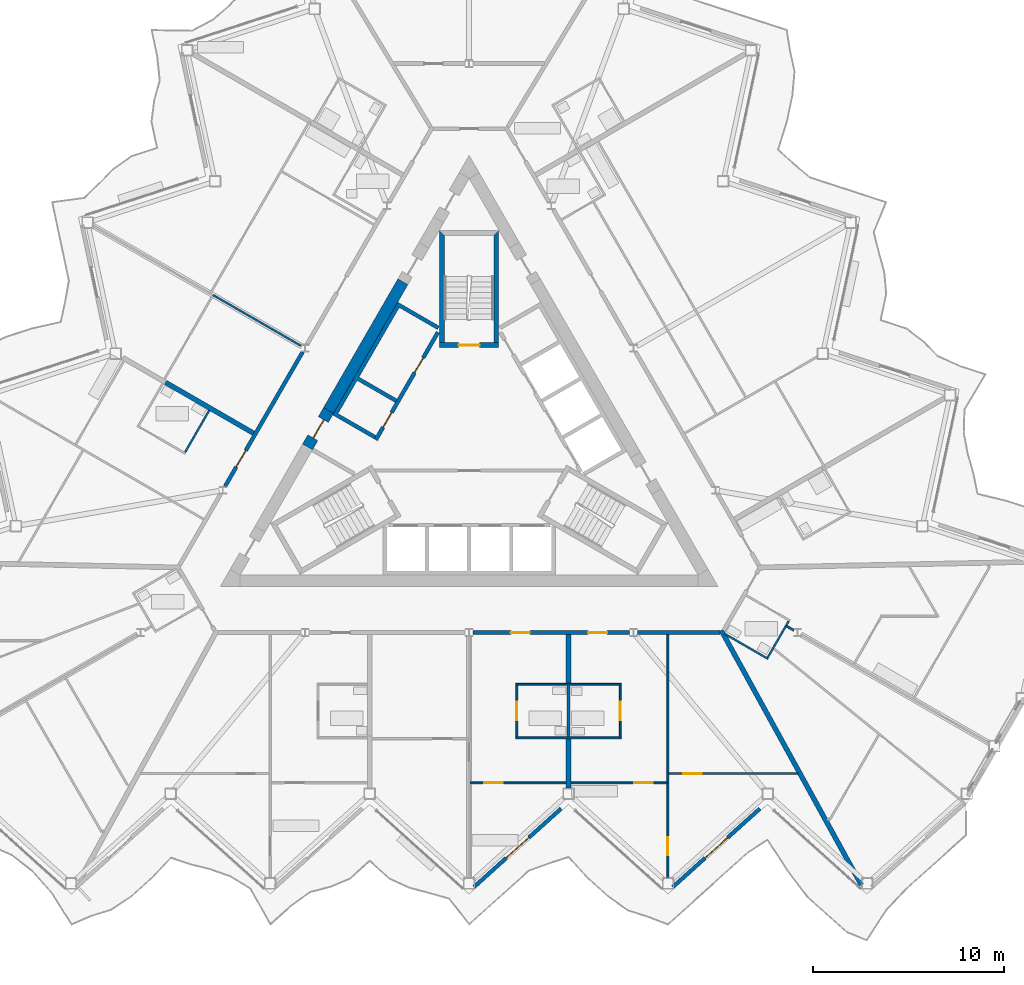
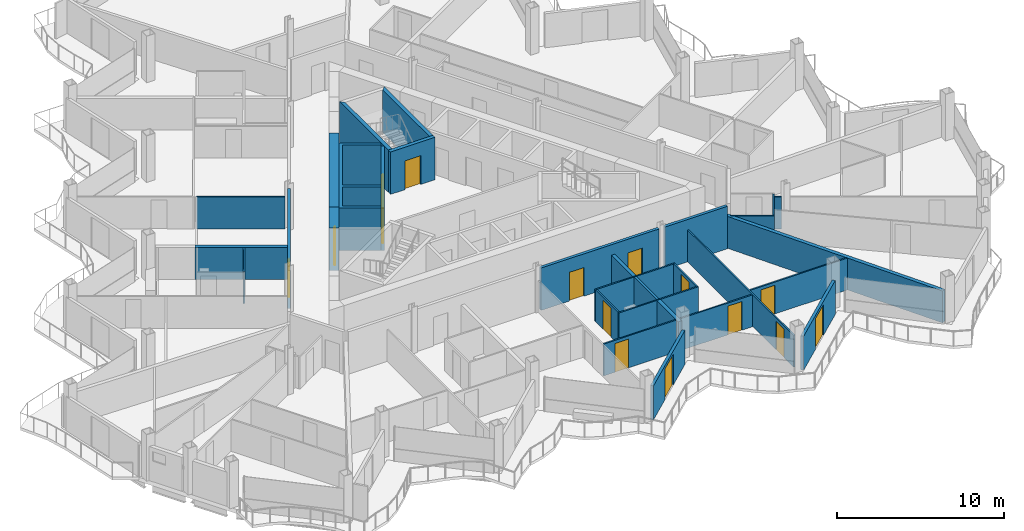
# One storey, part 15 of 27: 29 walls, 15 doors, 15 openings.
"""IFC4 building model written with IfcOpenShell, lengths in metres."""

from ifc_helpers import new_model, si_unit, direction, frame, frame_2d, origin, place, context, subcontext, project, spatial, polyline, rectangle, outline, extrude, material, layer, layer_set, type_object, element, fill, save


model = new_model("IFC4")

# Units and contexts
model_context = context("Model", 3, precision=1e-05, world=origin(), true_north=direction((0.0, 1.0)))
body_context = subcontext(model_context, "Body", "Model", "MODEL_VIEW")
ifc_project = project(units=[si_unit("LENGTHUNIT", "METRE"), si_unit("AREAUNIT", "SQUARE_METRE"), si_unit("VOLUMEUNIT", "CUBIC_METRE"), si_unit("PLANEANGLEUNIT", "RADIAN"), si_unit("MASSUNIT", "GRAM", prefix="KILO")], contexts=[model_context])

# Site, building, storey
site_placement = place(None, origin())
site = spatial("IfcSite", under=ifc_project, at=site_placement, CompositionType="ELEMENT")
building_placement = place(site_placement, origin())
building = spatial("IfcBuilding", under=site, at=building_placement, Name="Cormorant Prow Tower", CompositionType="ELEMENT")
storey_placement = place(building_placement, frame((0.0, 0.0, 312.0)))
storey = spatial("IfcBuildingStorey", under=building, at=storey_placement, Name="L68", CompositionType="ELEMENT", Elevation=312.0)

# Wall
ifc_material_1 = material(Name="Concrete 8000 psi", Category="concrete")
ifc_layer_1 = layer(ifc_material_1, 0.60009765625)
ifc_layer_set_1 = layer_set([ifc_layer_1], Name="Concrete 8000 psi")
wall_type_1 = type_object("IfcWallType", Name="Core shear wall 600", PredefinedType="SHEAR", material=ifc_layer_set_1)
wall_1_placement = place(storey_placement, frame((-3.460693359375, 8.416748046875, 0.0), z_axis=(0.0, 0.0, 1.0), x_axis=(-0.50000391502, -0.866023143435, 0.0)))
element("IfcWall", 1, at=wall_1_placement, inside=storey, type_object=wall_type_1, Name="Core wall", PredefinedType="SHEAR", context=body_context, shape_type="SweptSolid", body=[
    extrude(rectangle(XDim=7.7587890625, YDim=0.60009765625, at=frame_2d((3.87939453125, 0.0))), origin(), (0.0, 0.0, 1.0), 3.10009765625),
])

# Wall, opening, door
wall_2_placement = place(storey_placement, frame((-7.340087890625, 1.697509765625, 0.0), z_axis=(0.0, 0.0, 1.0), x_axis=(-0.50002983664, -0.866008176907, 0.0)))
wall_2 = element("IfcWall", 2, at=wall_2_placement, inside=storey, type_object=wall_type_1, Name="Core wall door panel", PredefinedType="SHEAR", context=body_context, shape_type="SweptSolid", body=[
    extrude(rectangle(XDim=2.199951171875, YDim=0.60009765625, at=frame_2d((1.10009765625, 0.0))), origin(), (0.0, 0.0, 1.0), 3.10009765625),
])
opening_1_placement = place(wall_2_placement, frame((0.550048828125, 0.0, 0.0)))
opening_1 = element("IfcOpeningElement", 3, at=opening_1_placement, cuts=wall_2, Name="Opening L68-C20", PredefinedType="OPENING", context=body_context, shape_type="SweptSolid", body=[
    extrude(rectangle(XDim=1.10009765625, YDim=2.10009765625, at=frame_2d((0.550048828125, 1.050048828125))), frame((0.0, 0.31005859375, 0.0), z_axis=(0.0, -1.0, 0.0), x_axis=(1.0, 0.0, 0.0)), (0.0, 0.0, 1.0), 0.6201171875),
])
ifc_material_2 = material(Name="Painted steel", Category="steel")
door_type_1 = type_object("IfcDoorType", Name="Core door 1100x2100", OperationType="NOTDEFINED", PredefinedType="DOOR", material=ifc_material_2)
door_1_placement = place(opening_1_placement, origin())
door_1 = element("IfcDoor", 4, at=door_1_placement, inside=storey, type_object=door_type_1, Name="Core door, lift lobby", OperationType="SINGLE_SWING_RIGHT", OverallHeight=2.10009765625, OverallWidth=1.10009765625, PredefinedType="DOOR", context=body_context, shape_type="SweptSolid", body=[
    extrude(rectangle(XDim=1.10009765625, YDim=2.10009765625, at=frame_2d((0.550048828125, 1.050048828125))), frame((0.0, 0.05517578125, 0.0), z_axis=(0.0, -1.0, 0.0), x_axis=(1.0, 0.0, 0.0)), (0.0, 0.0, 1.0), 0.050048828125),
])
fill(opening_1, door_1)

# Wall, openings, doors
ifc_material_3 = material(Name="Gypsum board corridor wall")
ifc_layer_2 = layer(ifc_material_3, 0.199951171875)
ifc_layer_set_2 = layer_set([ifc_layer_2], Name="Gypsum board corridor wall")
wall_type_2 = type_object("IfcWallType", Name="Corridor wall 200", PredefinedType="PARTITIONING", material=ifc_layer_set_2)
wall_3_placement = place(storey_placement, frame((0.207763671875, -9.905517578125, 0.0), z_axis=(0.0, 0.0, 1.0), x_axis=(1.0, 0.0, 0.0)))
wall_3 = element("IfcWall", 5, at=wall_3_placement, inside=storey, type_object=wall_type_2, Name="Corridor wall", PredefinedType="PARTITIONING", context=body_context, shape_type="SweptSolid", body=[
    extrude(rectangle(XDim=8.1630859375, YDim=0.199951171875, at=frame_2d((4.08154296875, 0.0))), origin(), (0.0, 0.0, 1.0), 3.10009765625),
])
opening_2_placement = place(wall_3_placement, frame((1.96630859375, 0.0, 0.0)))
opening_2 = element("IfcOpeningElement", 6, at=opening_2_placement, cuts=wall_3, Name="Opening L68-F06", PredefinedType="OPENING", context=body_context, shape_type="SweptSolid", body=[
    extrude(rectangle(XDim=1.0, YDim=2.10009765625, at=frame_2d((0.5, 1.050048828125))), frame((0.0, 0.10986328125, 0.0), z_axis=(0.0, -1.0, 0.0), x_axis=(1.0, 0.0, 0.0)), (0.0, 0.0, 1.0), 0.219970703125),
])
opening_3_placement = place(wall_3_placement, frame((6.00439453125, 0.0, 0.0)))
opening_3 = element("IfcOpeningElement", 7, at=opening_3_placement, cuts=wall_3, Name="Opening L68-F11", PredefinedType="OPENING", context=body_context, shape_type="SweptSolid", body=[
    extrude(rectangle(XDim=1.0, YDim=2.10009765625, at=frame_2d((0.5, 1.050048828125))), frame((0.0, 0.10986328125, 0.0), z_axis=(0.0, -1.0, 0.0), x_axis=(1.0, 0.0, 0.0)), (0.0, 0.0, 1.0), 0.219970703125),
])
ifc_material_4 = material(Name="Timber door leaf", Category="wood")
door_type_2 = type_object("IfcDoorType", Name="Flat or room entrance door 1000x2100", OperationType="NOTDEFINED", PredefinedType="DOOR", material=ifc_material_4)
door_2_placement = place(opening_2_placement, origin())
door_2 = element("IfcDoor", 8, at=door_2_placement, inside=storey, type_object=door_type_2, Name="Living room door", OperationType="SINGLE_SWING_LEFT", OverallHeight=2.10009765625, OverallWidth=1.0, PredefinedType="DOOR", context=body_context, shape_type="SweptSolid", body=[
    extrude(rectangle(XDim=1.0, YDim=2.10009765625, at=frame_2d((0.5, 1.050048828125))), frame((0.0, 0.02490234375, 0.0), z_axis=(0.0, -1.0, 0.0), x_axis=(1.0, 0.0, 0.0)), (0.0, 0.0, 1.0), 0.050048828125),
])
fill(opening_2, door_2)
door_3_placement = place(opening_3_placement, origin())
door_3 = element("IfcDoor", 9, at=door_3_placement, inside=storey, type_object=door_type_2, Name="Living room door", OperationType="SINGLE_SWING_LEFT", OverallHeight=2.10009765625, OverallWidth=1.0, PredefinedType="DOOR", context=body_context, shape_type="SweptSolid", body=[
    extrude(rectangle(XDim=1.0, YDim=2.10009765625, at=frame_2d((0.5, 1.050048828125))), frame((0.0, 0.02490234375, 0.0), z_axis=(0.0, -1.0, 0.0), x_axis=(1.0, 0.0, 0.0)), (0.0, 0.0, 1.0), 0.050048828125),
])
fill(opening_3, door_3)

# Wall, opening, door
wall_4_placement = place(storey_placement, frame((-12.747802734375, -2.268798828125, 0.0), z_axis=(0.0, 0.0, 1.0), x_axis=(0.499984266882, 0.866034487114, 0.0)))
wall_4 = element("IfcWall", 10, at=wall_4_placement, inside=storey, type_object=wall_type_2, Name="Corridor wall", PredefinedType="PARTITIONING", context=body_context, shape_type="SweptSolid", body=[
    extrude(rectangle(XDim=8.098876953125, YDim=0.199951171875, at=frame_2d((4.04931640625, 0.0))), origin(), (0.0, 0.0, 1.0), 3.10009765625),
])
opening_4_placement = place(wall_4_placement, frame((1.16357421875, 0.0, 0.0)))
opening_4 = element("IfcOpeningElement", 11, at=opening_4_placement, cuts=wall_4, Name="Opening L68-F43", PredefinedType="OPENING", context=body_context, shape_type="SweptSolid", body=[
    extrude(rectangle(XDim=1.0, YDim=2.10009765625, at=frame_2d((0.5, 1.050048828125))), frame((0.0, 0.10986328125, 0.0), z_axis=(0.0, -1.0, 0.0), x_axis=(1.0, 0.0, 0.0)), (0.0, 0.0, 1.0), 0.219970703125),
])
door_4_placement = place(opening_4_placement, origin())
door_4 = element("IfcDoor", 12, at=door_4_placement, inside=storey, type_object=door_type_2, Name="Living room door", OperationType="SINGLE_SWING_RIGHT", OverallHeight=2.10009765625, OverallWidth=1.0, PredefinedType="DOOR", context=body_context, shape_type="SweptSolid", body=[
    extrude(rectangle(XDim=1.0, YDim=2.10009765625, at=frame_2d((0.5, 1.050048828125))), frame((0.0, 0.02490234375, 0.0), z_axis=(0.0, -1.0, 0.0), x_axis=(1.0, 0.0, 0.0)), (0.0, 0.0, 1.0), 0.050048828125),
])
fill(opening_4, door_4)

# Wall
wall_5_placement = place(storey_placement, frame((8.7861328125, -9.905517578125, 0.0), z_axis=(0.0, 0.0, 1.0), x_axis=(1.0, 0.0, 0.0)))
element("IfcWall", 13, at=wall_5_placement, inside=storey, type_object=wall_type_2, Name="Corridor wall", PredefinedType="PARTITIONING", context=body_context, shape_type="SweptSolid", body=[
    extrude(rectangle(XDim=4.31982421875, YDim=0.199951171875, at=frame_2d((2.159912109375, 0.0))), origin(), (0.0, 0.0, 1.0), 3.10009765625),
])

# Wall, opening, door
ifc_material_5 = material(Name="Gypsum board partition")
ifc_layer_3 = layer(ifc_material_5, 0.10009765625)
ifc_layer_set_3 = layer_set([ifc_layer_3], Name="Gypsum board partition")
wall_type_3 = type_object("IfcWallType", Name="Internal partition 100", PredefinedType="PARTITIONING", material=ifc_layer_set_3)
wall_6_placement = place(storey_placement, frame((10.385498046875, -22.697998046875, 0.0), z_axis=(0.0, 0.0, 1.0), x_axis=(0.0, 1.0, 0.0)))
wall_6 = element("IfcWall", 14, at=wall_6_placement, inside=storey, type_object=wall_type_3, Name="Internal partition", PredefinedType="PARTITIONING", context=body_context, shape_type="SweptSolid", body=[
    extrude(rectangle(XDim=12.6923828125, YDim=0.10009765625, at=frame_2d((6.34619140625, 0.0))), origin(), (0.0, 0.0, 1.0), 2.330078125),
])
opening_5_placement = place(wall_6_placement, frame((1.1533203125, 0.0, 0.0)))
opening_5 = element("IfcOpeningElement", 15, at=opening_5_placement, cuts=wall_6, Name="Opening L68-F14", PredefinedType="OPENING", context=body_context, shape_type="SweptSolid", body=[
    extrude(rectangle(XDim=0.949951171875, YDim=2.10009765625, at=frame_2d((0.47509765625, 1.050048828125))), frame((0.0, 0.06005859375, 0.0), z_axis=(0.0, -1.0, 0.0), x_axis=(1.0, 0.0, 0.0)), (0.0, 0.0, 1.0), 0.1201171875),
])
ifc_material_6 = material(Name="Timber door leaf", Category="wood")
door_type_3 = type_object("IfcDoorType", Name="Bathroom door 950x2100", OperationType="NOTDEFINED", PredefinedType="DOOR", material=ifc_material_6)
door_5_placement = place(opening_5_placement, origin())
door_5 = element("IfcDoor", 16, at=door_5_placement, inside=storey, type_object=door_type_3, Name="Kitchen door", OperationType="SINGLE_SWING_RIGHT", OverallHeight=2.10009765625, OverallWidth=0.949951171875, PredefinedType="DOOR", context=body_context, shape_type="SweptSolid", body=[
    extrude(rectangle(XDim=0.949951171875, YDim=2.10009765625, at=frame_2d((0.47509765625, 1.050048828125))), frame((0.0, 0.02490234375, 0.0), z_axis=(0.0, -1.0, 0.0), x_axis=(1.0, 0.0, 0.0)), (0.0, 0.0, 1.0), 0.050048828125),
])
fill(opening_5, door_5)

# Wall, openings, doors
wall_7_placement = place(storey_placement, frame((0.050048828125, -17.758056640625, 0.0), z_axis=(0.0, 0.0, 1.0), x_axis=(1.0, 0.0, 0.0)))
wall_7 = element("IfcWall", 17, at=wall_7_placement, inside=storey, type_object=wall_type_3, Name="Internal partition", PredefinedType="PARTITIONING", context=body_context, shape_type="SweptSolid", body=[
    extrude(rectangle(XDim=10.28564453125, YDim=0.10009765625, at=frame_2d((5.142822265625, 0.0))), origin(), (0.0, 0.0, 1.0), 2.330078125),
])
opening_6_placement = place(wall_7_placement, frame((0.751953125, 0.0, 0.0)))
opening_6 = element("IfcOpeningElement", 18, at=opening_6_placement, cuts=wall_7, Name="Opening L68-F08", PredefinedType="OPENING", context=body_context, shape_type="SweptSolid", body=[
    extrude(rectangle(XDim=0.949951171875, YDim=2.10009765625, at=frame_2d((0.47509765625, 1.050048828125))), frame((0.0, 0.06005859375, 0.0), z_axis=(0.0, -1.0, 0.0), x_axis=(1.0, 0.0, 0.0)), (0.0, 0.0, 1.0), 0.1201171875),
])
opening_7_placement = place(wall_7_placement, frame((8.583740234375, 0.0, 0.0)))
opening_7 = element("IfcOpeningElement", 19, at=opening_7_placement, cuts=wall_7, Name="Opening L68-F13", PredefinedType="OPENING", context=body_context, shape_type="SweptSolid", body=[
    extrude(rectangle(XDim=0.949951171875, YDim=2.10009765625, at=frame_2d((0.47509765625, 1.050048828125))), frame((0.0, 0.06005859375, 0.0), z_axis=(0.0, -1.0, 0.0), x_axis=(1.0, 0.0, 0.0)), (0.0, 0.0, 1.0), 0.1201171875),
])
door_6_placement = place(opening_6_placement, origin())
door_6 = element("IfcDoor", 20, at=door_6_placement, inside=storey, type_object=door_type_3, Name="Living room door", OperationType="SINGLE_SWING_LEFT", OverallHeight=2.10009765625, OverallWidth=0.949951171875, PredefinedType="DOOR", context=body_context, shape_type="SweptSolid", body=[
    extrude(rectangle(XDim=0.949951171875, YDim=2.10009765625, at=frame_2d((0.47509765625, 1.050048828125))), frame((0.0, 0.02490234375, 0.0), z_axis=(0.0, -1.0, 0.0), x_axis=(1.0, 0.0, 0.0)), (0.0, 0.0, 1.0), 0.050048828125),
])
fill(opening_6, door_6)
door_7_placement = place(opening_7_placement, origin())
door_7 = element("IfcDoor", 21, at=door_7_placement, inside=storey, type_object=door_type_3, Name="Living room door", OperationType="SINGLE_SWING_RIGHT", OverallHeight=2.10009765625, OverallWidth=0.949951171875, PredefinedType="DOOR", context=body_context, shape_type="SweptSolid", body=[
    extrude(rectangle(XDim=0.949951171875, YDim=2.10009765625, at=frame_2d((0.47509765625, 1.050048828125))), frame((0.0, 0.02490234375, 0.0), z_axis=(0.0, -1.0, 0.0), x_axis=(1.0, 0.0, 0.0)), (0.0, 0.0, 1.0), 0.050048828125),
])
fill(opening_7, door_7)

# Wall, opening, door
wall_8_placement = place(storey_placement, frame((10.435546875, -17.27099609375, 0.0), z_axis=(0.0, 0.0, 1.0), x_axis=(1.0, 0.0, 0.0)))
wall_8 = element("IfcWall", 22, at=wall_8_placement, inside=storey, type_object=wall_type_3, Name="Internal partition", PredefinedType="PARTITIONING", context=body_context, shape_type="SweptSolid", body=[
    extrude(rectangle(XDim=6.722412109375, YDim=0.10009765625, at=frame_2d((3.361328125, 0.0))), origin(), (0.0, 0.0, 1.0), 2.330078125),
])
opening_8_placement = place(wall_8_placement, frame((0.7568359375, 0.0, 0.0)))
opening_8 = element("IfcOpeningElement", 23, at=opening_8_placement, cuts=wall_8, Name="Opening L68-F15", PredefinedType="OPENING", context=body_context, shape_type="SweptSolid", body=[
    extrude(rectangle(XDim=0.949951171875, YDim=2.10009765625, at=frame_2d((0.47509765625, 1.050048828125))), frame((0.0, 0.06005859375, 0.0), z_axis=(0.0, -1.0, 0.0), x_axis=(1.0, 0.0, 0.0)), (0.0, 0.0, 1.0), 0.1201171875),
])
door_8_placement = place(opening_8_placement, origin())
door_8 = element("IfcDoor", 24, at=door_8_placement, inside=storey, type_object=door_type_3, Name="Bedroom door", OperationType="SINGLE_SWING_LEFT", OverallHeight=2.10009765625, OverallWidth=0.949951171875, PredefinedType="DOOR", context=body_context, shape_type="SweptSolid", body=[
    extrude(rectangle(XDim=0.949951171875, YDim=2.10009765625, at=frame_2d((0.47509765625, 1.050048828125))), frame((0.0, 0.02490234375, 0.0), z_axis=(0.0, -1.0, 0.0), x_axis=(1.0, 0.0, 0.0)), (0.0, 0.0, 1.0), 0.050048828125),
])
fill(opening_8, door_8)

# Walls
for number, where, z_axis, x_axis, name in (
    (25, (2.44287109375, -12.605712890625, 0.0), (0.0, 0.0, 1.0), (1.0, 0.0, 0.0), "Internal partition"),
    (26, (2.44287109375, -15.405517578125, 0.0), (0.0, 0.0, 1.0), (1.0, 0.0, 0.0), "Internal partition"),
):
    element("IfcWall", number, at=place(storey_placement, frame(where, z_axis=z_axis, x_axis=x_axis)), inside=storey, type_object=wall_type_3, Name=name, PredefinedType="PARTITIONING", context=body_context, shape_type="SweptSolid", body=[
        extrude(rectangle(XDim=5.5, YDim=0.10009765625, at=frame_2d((2.75, 0.0))), origin(), (0.0, 0.0, 1.0), 2.330078125),
    ])
wall_9_placement = place(storey_placement, frame((-13.38623046875, 7.728515625, 0.0), z_axis=(0.0, 0.0, 1.0), x_axis=(0.866034036823, -0.49998504684, 0.0)))
element("IfcWall", 27, at=wall_9_placement, inside=storey, type_object=wall_type_3, Name="Internal partition", PredefinedType="PARTITIONING", context=body_context, shape_type="SweptSolid", body=[
    extrude(rectangle(XDim=5.311767578125, YDim=0.10009765625, at=frame_2d((2.65576171875, 0.0))), origin(), (0.0, 0.0, 1.0), 2.330078125),
])

# Wall, opening, door
wall_10_placement = place(storey_placement, frame((2.492919921875, -15.355712890625, 0.0), z_axis=(0.0, 0.0, 1.0), x_axis=(0.0, 1.0, 0.0)))
wall_10 = element("IfcWall", 28, at=wall_10_placement, inside=storey, type_object=wall_type_3, Name="Internal partition", PredefinedType="PARTITIONING", context=body_context, shape_type="SweptSolid", body=[
    extrude(rectangle(XDim=2.7001953125, YDim=0.10009765625, at=frame_2d((1.35009765625, 0.0))), origin(), (0.0, 0.0, 1.0), 2.330078125),
])
opening_9_placement = place(wall_10_placement, frame((0.875, 0.0, 0.0)))
opening_9 = element("IfcOpeningElement", 29, at=opening_9_placement, cuts=wall_10, Name="Opening L68-F07", PredefinedType="OPENING", context=body_context, shape_type="SweptSolid", body=[
    extrude(rectangle(XDim=0.949951171875, YDim=2.10009765625, at=frame_2d((0.47509765625, 1.050048828125))), frame((0.0, 0.06005859375, 0.0), z_axis=(0.0, -1.0, 0.0), x_axis=(1.0, 0.0, 0.0)), (0.0, 0.0, 1.0), 0.1201171875),
])
door_9_placement = place(opening_9_placement, origin())
door_9 = element("IfcDoor", 30, at=door_9_placement, inside=storey, type_object=door_type_3, Name="Living room door", OperationType="SINGLE_SWING_LEFT", OverallHeight=2.10009765625, OverallWidth=0.949951171875, PredefinedType="DOOR", context=body_context, shape_type="SweptSolid", body=[
    extrude(rectangle(XDim=0.949951171875, YDim=2.10009765625, at=frame_2d((0.47509765625, 1.050048828125))), frame((0.0, 0.02490234375, 0.0), z_axis=(0.0, -1.0, 0.0), x_axis=(1.0, 0.0, 0.0)), (0.0, 0.0, 1.0), 0.050048828125),
])
fill(opening_9, door_9)

wall_11_placement = place(storey_placement, frame((7.892822265625, -15.355712890625, 0.0), z_axis=(0.0, 0.0, 1.0), x_axis=(0.0, 1.0, 0.0)))
wall_11 = element("IfcWall", 31, at=wall_11_placement, inside=storey, type_object=wall_type_3, Name="Internal partition", PredefinedType="PARTITIONING", context=body_context, shape_type="SweptSolid", body=[
    extrude(rectangle(XDim=2.7001953125, YDim=0.10009765625, at=frame_2d((1.35009765625, 0.0))), origin(), (0.0, 0.0, 1.0), 2.330078125),
])
opening_10_placement = place(wall_11_placement, frame((0.875, 0.0, 0.0)))
opening_10 = element("IfcOpeningElement", 32, at=opening_10_placement, cuts=wall_11, Name="Opening L68-F12", PredefinedType="OPENING", context=body_context, shape_type="SweptSolid", body=[
    extrude(rectangle(XDim=0.949951171875, YDim=2.10009765625, at=frame_2d((0.47509765625, 1.050048828125))), frame((0.0, 0.06005859375, 0.0), z_axis=(0.0, -1.0, 0.0), x_axis=(1.0, 0.0, 0.0)), (0.0, 0.0, 1.0), 0.1201171875),
])
door_10_placement = place(opening_10_placement, origin())
door_10 = element("IfcDoor", 33, at=door_10_placement, inside=storey, type_object=door_type_3, Name="Living room door", OperationType="SINGLE_SWING_LEFT", OverallHeight=2.10009765625, OverallWidth=0.949951171875, PredefinedType="DOOR", context=body_context, shape_type="SweptSolid", body=[
    extrude(rectangle(XDim=0.949951171875, YDim=2.10009765625, at=frame_2d((0.47509765625, 1.050048828125))), frame((0.0, 0.02490234375, 0.0), z_axis=(0.0, -1.0, 0.0), x_axis=(1.0, 0.0, 0.0)), (0.0, 0.0, 1.0), 0.050048828125),
])
fill(opening_10, door_10)

# Walls
wall_12_placement = place(storey_placement, frame((-14.838134765625, -0.4892578125, 0.0), z_axis=(0.0, 0.0, 1.0), x_axis=(0.499976333282, 0.866039067339, 0.0)))
element("IfcWall", 34, at=wall_12_placement, inside=storey, type_object=wall_type_3, Name="Internal partition", PredefinedType="PARTITIONING", context=body_context, shape_type="SweptSolid", body=[
    extrude(rectangle(XDim=2.52490234375, YDim=0.10009765625, at=frame_2d((1.262451171875, 0.0))), origin(), (0.0, 0.0, 1.0), 2.330078125),
])
wall_13_placement = place(storey_placement, frame((13.339111328125, -9.968017578125, 0.0), z_axis=(0.0, 0.0, 1.0), x_axis=(0.866013657776, -0.500020344131, 0.0)))
element("IfcWall", 35, at=wall_13_placement, inside=storey, type_object=wall_type_3, Name="Internal partition", PredefinedType="PARTITIONING", context=body_context, shape_type="SweptSolid", body=[
    extrude(rectangle(XDim=2.625, YDim=0.10009765625, at=frame_2d((1.3125, 0.0))), origin(), (0.0, 0.0, 1.0), 2.330078125),
])
wall_14_placement = place(storey_placement, frame((15.593994140625, -11.21240234375, 0.0), z_axis=(0.0, 0.0, 1.0), x_axis=(0.499981787252, 0.866035918664, 0.0)))
element("IfcWall", 36, at=wall_14_placement, inside=storey, type_object=wall_type_3, Name="Internal partition", PredefinedType="PARTITIONING", context=body_context, shape_type="SweptSolid", body=[
    extrude(rectangle(XDim=2.2001953125, YDim=0.10009765625, at=frame_2d((1.10009765625, 0.0))), origin(), (0.0, 0.0, 1.0), 2.330078125),
])
wall_15_placement = place(storey_placement, frame((16.593994140625, -9.58056640625, 0.0), z_axis=(0.0, 0.0, 1.0), x_axis=(0.866036909293, -0.499980071345, 0.0)))
element("IfcWall", 37, at=wall_15_placement, inside=storey, type_object=wall_type_3, Name="Internal partition", PredefinedType="PARTITIONING", context=body_context, shape_type="SweptSolid", body=[
    extrude(rectangle(XDim=0.41015625, YDim=0.10009765625, at=frame_2d((0.205078125, 0.0))), origin(), (0.0, 0.0, 1.0), 2.330078125),
])

# Wall, openings, doors
ifc_material_7 = material(Name="Concrete 5000 psi", Category="concrete")
ifc_layer_4 = layer(ifc_material_7, 0.199951171875)
ifc_layer_set_4 = layer_set([ifc_layer_4], Name="Concrete 5000 psi")
wall_type_4 = type_object("IfcWallType", Name="Lift lobby wall 200", PredefinedType="SOLIDWALL", material=ifc_layer_set_4)
wall_16_placement = place(storey_placement, frame((-1.630615234375, 5.775634765625, 0.0), z_axis=(0.0, 0.0, 1.0), x_axis=(-0.499992876559, -0.866029516466, 0.0)))
wall_16 = element("IfcWall", 38, at=wall_16_placement, inside=storey, type_object=wall_type_4, Name="Lift lobby wall, WNW block", PredefinedType="SOLIDWALL", context=body_context, shape_type="SweptSolid", body=[
    extrude(rectangle(XDim=6.486328125, YDim=0.199951171875, at=frame_2d((3.2431640625, 0.0))), origin(), (0.0, 0.0, 1.0), 3.10009765625),
])
opening_11_placement = place(wall_16_placement, frame((1.53662109375, 0.0, 0.0)))
opening_11 = element("IfcOpeningElement", 39, at=opening_11_placement, cuts=wall_16, Name="Opening L68-C09", PredefinedType="OPENING", context=body_context, shape_type="SweptSolid", body=[
    extrude(rectangle(XDim=0.89990234375, YDim=2.10009765625, at=frame_2d((0.449951171875, 1.050048828125))), frame((0.0, 0.10986328125, 0.0), z_axis=(0.0, -1.0, 0.0), x_axis=(1.0, 0.0, 0.0)), (0.0, 0.0, 1.0), 0.219970703125),
])
opening_12_placement = place(wall_16_placement, frame((4.836669921875, 0.0, 0.0)))
opening_12 = element("IfcOpeningElement", 40, at=opening_12_placement, cuts=wall_16, Name="Opening L68-C10", PredefinedType="OPENING", context=body_context, shape_type="SweptSolid", body=[
    extrude(rectangle(XDim=0.89990234375, YDim=2.10009765625, at=frame_2d((0.449951171875, 1.050048828125))), frame((0.0, 0.10986328125, 0.0), z_axis=(0.0, -1.0, 0.0), x_axis=(1.0, 0.0, 0.0)), (0.0, 0.0, 1.0), 0.219970703125),
])
ifc_material_8 = material(Name="Painted steel", Category="steel")
door_type_4 = type_object("IfcDoorType", Name="Service door 900x2100", OperationType="NOTDEFINED", PredefinedType="DOOR", material=ifc_material_8)
door_11_placement = place(opening_11_placement, origin())
door_11 = element("IfcDoor", 41, at=door_11_placement, inside=storey, type_object=door_type_4, Name="Service door, Refuse store", OperationType="SINGLE_SWING_LEFT", OverallHeight=2.10009765625, OverallWidth=0.89990234375, PredefinedType="DOOR", context=body_context, shape_type="SweptSolid", body=[
    extrude(rectangle(XDim=0.89990234375, YDim=2.10009765625, at=frame_2d((0.449951171875, 1.050048828125))), frame((0.0, 0.02490234375, 0.0), z_axis=(0.0, -1.0, 0.0), x_axis=(1.0, 0.0, 0.0)), (0.0, 0.0, 1.0), 0.050048828125),
])
fill(opening_11, door_11)
door_12_placement = place(opening_12_placement, origin())
door_12 = element("IfcDoor", 42, at=door_12_placement, inside=storey, type_object=door_type_4, Name="Service door, Telecom room", OperationType="SINGLE_SWING_RIGHT", OverallHeight=2.10009765625, OverallWidth=0.89990234375, PredefinedType="DOOR", context=body_context, shape_type="SweptSolid", body=[
    extrude(rectangle(XDim=0.89990234375, YDim=2.10009765625, at=frame_2d((0.449951171875, 1.050048828125))), frame((0.0, 0.02490234375, 0.0), z_axis=(0.0, -1.0, 0.0), x_axis=(1.0, 0.0, 0.0)), (0.0, 0.0, 1.0), 0.050048828125),
])
fill(opening_12, door_12)

# Walls
ifc_material_9 = material(Name="Concrete 8000 psi", Category="concrete")
ifc_layer_5 = layer(ifc_material_9, 0.199951171875)
ifc_layer_set_5 = layer_set([ifc_layer_5], Name="Concrete 8000 psi")
wall_type_5 = type_object("IfcWallType", Name="Lift shaft wall 200", PredefinedType="SHEAR", material=ifc_layer_set_5)
wall_17_placement = place(storey_placement, origin())
element("IfcWall", 43, at=wall_17_placement, inside=storey, type_object=wall_type_5, Name="Lift shaft walls, WNW block", PredefinedType="SHEAR", context=body_context, shape_type="SweptSolid", body=[
    extrude(outline(polyline([(-4.96044921875, 0.2080078125), (-7.130859375, 1.461181640625), (-3.730712890625, 7.35009765625), (-1.560546875, 6.09716796875), (-1.660400390625, 5.923828125), (-3.65234375, 7.073974609375), (-5.75244140625, 3.4365234375), (-3.760498046875, 2.28662109375), (-3.860595703125, 2.11328125), (-5.852294921875, 3.263427734375), (-6.852294921875, 1.53125), (-4.860595703125, 0.38134765625), (-4.96044921875, 0.2080078125)])), origin(), (0.0, 0.0, 1.0), 3.10009765625),
])
ifc_material_10 = material(Name="Concrete 8000 psi", Category="concrete")
ifc_layer_6 = layer(ifc_material_10, 0.25)
ifc_layer_set_6 = layer_set([ifc_layer_6], Name="Concrete 8000 psi")
wall_type_6 = type_object("IfcWallType", Name="Stair wall 250", PredefinedType="SHEAR", material=ifc_layer_set_6)
wall_18_placement = place(storey_placement, origin())
element("IfcWall", 44, at=wall_18_placement, inside=storey, type_object=wall_type_6, Name="Stair ST3 enclosure wall (flank)", PredefinedType="SHEAR", context=body_context, shape_type="SweptSolid", body=[
    extrude(outline(polyline([(1.5439453125, 5.23681640625), (1.5439453125, 11.0869140625), (1.2939453125, 10.8369140625), (1.2939453125, 5.23681640625), (1.5439453125, 5.23681640625)])), origin(), (0.0, 0.0, 1.0), 3.10009765625),
])
wall_19_placement = place(storey_placement, origin())
element("IfcWall", 45, at=wall_19_placement, inside=storey, type_object=wall_type_6, Name="Stair ST3 enclosure wall (flank)", PredefinedType="SHEAR", context=body_context, shape_type="SweptSolid", body=[
    extrude(outline(polyline([(-1.2939453125, 10.8369140625), (-1.5439453125, 11.0869140625), (-1.5439453125, 5.23681640625), (-1.2939453125, 5.23681640625), (-1.2939453125, 10.8369140625)])), origin(), (0.0, 0.0, 1.0), 3.10009765625),
])

# Wall, opening, door
wall_20_placement = place(storey_placement, frame((1.5439453125, 5.11181640625, 0.0), z_axis=(0.0, 0.0, 1.0), x_axis=(-1.0, 0.0, 0.0)))
wall_20 = element("IfcWall", 46, at=wall_20_placement, inside=storey, type_object=wall_type_6, Name="Stair ST3 door wall", PredefinedType="SHEAR", context=body_context, shape_type="SweptSolid", body=[
    extrude(rectangle(XDim=3.087890625, YDim=0.25, at=frame_2d((1.5439453125, 0.0))), origin(), (0.0, 0.0, 1.0), 3.10009765625),
])
opening_13_placement = place(wall_20_placement, frame((0.993896484375, 0.0, 0.0)))
opening_13 = element("IfcOpeningElement", 47, at=opening_13_placement, cuts=wall_20, Name="Opening L68-C14", PredefinedType="OPENING", context=body_context, shape_type="SweptSolid", body=[
    extrude(rectangle(XDim=1.10009765625, YDim=2.10009765625, at=frame_2d((0.550048828125, 1.050048828125))), frame((0.0, 0.135009765625, 0.0), z_axis=(0.0, -1.0, 0.0), x_axis=(1.0, 0.0, 0.0)), (0.0, 0.0, 1.0), 0.27001953125),
])
ifc_material_11 = material(Name="Painted steel", Category="steel")
door_type_5 = type_object("IfcDoorType", Name="Stair door 1100x2100", OperationType="NOTDEFINED", PredefinedType="DOOR", material=ifc_material_11)
door_13_placement = place(opening_13_placement, origin())
door_13 = element("IfcDoor", 48, at=door_13_placement, inside=storey, type_object=door_type_5, Name="Stair ST3 door", OperationType="SINGLE_SWING_LEFT", OverallHeight=2.10009765625, OverallWidth=1.10009765625, PredefinedType="DOOR", context=body_context, shape_type="SweptSolid", body=[
    extrude(rectangle(XDim=1.10009765625, YDim=2.10009765625, at=frame_2d((0.550048828125, 1.050048828125))), frame((0.0, 0.02490234375, 0.0), z_axis=(0.0, -1.0, 0.0), x_axis=(1.0, 0.0, 0.0)), (0.0, 0.0, 1.0), 0.050048828125),
])
fill(opening_13, door_13)

# Walls
ifc_material_12 = material(Name="Acoustic gypsum party wall")
ifc_layer_7 = layer(ifc_material_12, 0.25)
ifc_layer_set_7 = layer_set([ifc_layer_7], Name="Acoustic gypsum party wall")
wall_type_7 = type_object("IfcWallType", Name="Suite party wall 250", PredefinedType="PARTITIONING", material=ifc_layer_set_7)
wall_21_placement = place(storey_placement, frame((13.170654296875, -9.7958984375, 0.0), z_axis=(0.0, 0.0, 1.0), x_axis=(0.481999020381, -0.876171755053, 0.0)))
element("IfcWall", 49, at=wall_21_placement, inside=storey, type_object=wall_type_7, Name="Suite party wall", PredefinedType="PARTITIONING", context=body_context, shape_type="SweptSolid", body=[
    extrude(rectangle(XDim=15.177734375, YDim=0.25, at=frame_2d((7.5888671875, 0.0))), origin(), (0.0, 0.0, 1.0), 2.330078125),
])
wall_22_placement = place(storey_placement, frame((-16.054931640625, 3.273193359375, 0.0), z_axis=(0.0, 0.0, 1.0), x_axis=(0.866019581949, -0.500010083578, 0.0)))
element("IfcWall", 50, at=wall_22_placement, inside=storey, type_object=wall_type_7, Name="Suite party wall", PredefinedType="PARTITIONING", context=body_context, shape_type="SweptSolid", body=[
    extrude(rectangle(XDim=5.53515625, YDim=0.25, at=frame_2d((2.767578125, 0.0))), origin(), (0.0, 0.0, 1.0), 2.330078125),
])
wall_23_placement = place(storey_placement, frame((5.19287109375, -12.5556640625, 0.0), z_axis=(0.0, 0.0, 1.0), x_axis=(0.0, 1.0, 0.0)))
element("IfcWall", 51, at=wall_23_placement, inside=storey, type_object=wall_type_7, Name="Suite party wall", PredefinedType="PARTITIONING", context=body_context, shape_type="SweptSolid", body=[
    extrude(rectangle(XDim=2.550048828125, YDim=0.25, at=frame_2d((1.27490234375, 0.0))), origin(), (0.0, 0.0, 1.0), 2.330078125),
])
wall_24_placement = place(storey_placement, frame((5.19287109375, -18.016845703125, 0.0), z_axis=(0.0, 0.0, 1.0), x_axis=(0.0, 1.0, 0.0)))
element("IfcWall", 52, at=wall_24_placement, inside=storey, type_object=wall_type_7, Name="Suite party wall", PredefinedType="PARTITIONING", context=body_context, shape_type="SweptSolid", body=[
    extrude(rectangle(XDim=2.561279296875, YDim=0.25, at=frame_2d((1.28076171875, 0.0))), origin(), (0.0, 0.0, 1.0), 2.330078125),
])

# Wall, opening, door
ifc_material_13 = material(Name="Terracotta", Category="masonry")
ifc_layer_8 = layer(ifc_material_13, 0.199951171875)
ifc_layer_set_8 = layer_set([ifc_layer_8], Name="Terracotta")
wall_type_8 = type_object("IfcWallType", Name="Terracotta jamb wall 200", PredefinedType="SOLIDWALL", material=ifc_layer_set_8)
wall_25_placement = place(storey_placement, frame((0.255615234375, -23.197509765625, 0.0), z_axis=(0.0, 0.0, 1.0), x_axis=(0.743139400616, 0.669136631229, 0.0)))
wall_25 = element("IfcWall", 53, at=wall_25_placement, inside=storey, type_object=wall_type_8, Name="Terracotta jamb wall S05", PredefinedType="SOLIDWALL", context=body_context, shape_type="SweptSolid", body=[
    extrude(rectangle(XDim=6.119873046875, YDim=0.199951171875, at=frame_2d((3.06005859375, 0.0))), origin(), (0.0, 0.0, 1.0), 2.48779296875),
])
opening_14_placement = place(wall_25_placement, frame((2.259765625, 0.0, 0.0)))
opening_14 = element("IfcOpeningElement", 54, at=opening_14_placement, cuts=wall_25, Name="Opening ED68.03", PredefinedType="OPENING", context=body_context, shape_type="SweptSolid", body=[
    extrude(rectangle(XDim=1.60009765625, YDim=2.25, at=frame_2d((0.800048828125, 1.125))), frame((0.0, 0.10986328125, 0.0), z_axis=(0.0, -1.0, 0.0), x_axis=(1.0, 0.0, 0.0)), (0.0, 0.0, 1.0), 0.219970703125),
])
ifc_material_14 = material(Name="Aluminium 6063-T6", Category="aluminium")
door_type_6 = type_object("IfcDoorType", Name="Balcony door 1600x2250", OperationType="DOUBLE_DOOR_SINGLE_SWING", PredefinedType="DOOR", material=ifc_material_14)
door_14_placement = place(opening_14_placement, origin())
door_14 = element("IfcDoor", 55, at=door_14_placement, inside=storey, type_object=door_type_6, Name="Balcony door S05 ED68.03", OperationType="DOUBLE_DOOR_SINGLE_SWING", OverallHeight=2.25, OverallWidth=1.60009765625, PredefinedType="DOOR", context=body_context, shape_type="SweptSolid", body=[
    extrude(rectangle(XDim=1.60009765625, YDim=2.25, at=frame_2d((0.800048828125, 1.125))), frame((0.0, 0.02490234375, 0.0), z_axis=(0.0, -1.0, 0.0), x_axis=(1.0, 0.0, 0.0)), (0.0, 0.0, 1.0), 0.050048828125),
])
fill(opening_14, door_14)

wall_26_placement = place(storey_placement, frame((10.641357421875, -23.197509765625, 0.0), z_axis=(0.0, 0.0, 1.0), x_axis=(0.743121537674, 0.66915646918, 0.0)))
wall_26 = element("IfcWall", 56, at=wall_26_placement, inside=storey, type_object=wall_type_8, Name="Terracotta jamb wall S07", PredefinedType="SOLIDWALL", context=body_context, shape_type="SweptSolid", body=[
    extrude(rectangle(XDim=6.11962890625, YDim=0.199951171875, at=frame_2d((3.059814453125, 0.0))), origin(), (0.0, 0.0, 1.0), 2.48779296875),
])
opening_15_placement = place(wall_26_placement, frame((2.259765625, 0.0, 0.0)))
opening_15 = element("IfcOpeningElement", 57, at=opening_15_placement, cuts=wall_26, Name="Opening ED68.04", PredefinedType="OPENING", context=body_context, shape_type="SweptSolid", body=[
    extrude(rectangle(XDim=1.60009765625, YDim=2.25, at=frame_2d((0.800048828125, 1.125))), frame((0.0, 0.10986328125, 0.0), z_axis=(0.0, -1.0, 0.0), x_axis=(1.0, 0.0, 0.0)), (0.0, 0.0, 1.0), 0.219970703125),
])
door_15_placement = place(opening_15_placement, origin())
door_15 = element("IfcDoor", 58, at=door_15_placement, inside=storey, type_object=door_type_6, Name="Balcony door S07 ED68.04", OperationType="DOUBLE_DOOR_SINGLE_SWING", OverallHeight=2.25, OverallWidth=1.60009765625, PredefinedType="DOOR", context=body_context, shape_type="SweptSolid", body=[
    extrude(rectangle(XDim=1.60009765625, YDim=2.25, at=frame_2d((0.800048828125, 1.125))), frame((0.0, 0.02490234375, 0.0), z_axis=(0.0, -1.0, 0.0), x_axis=(1.0, 0.0, 0.0)), (0.0, 0.0, 1.0), 0.050048828125),
])
fill(opening_15, door_15)

# Wall
ifc_material_15 = material(Name="Plasterboard wet wall with pipe chase")
ifc_layer_9 = layer(ifc_material_15, 0.14990234375)
ifc_layer_set_9 = layer_set([ifc_layer_9], Name="Plasterboard wet wall with pipe chase")
wall_type_9 = type_object("IfcWallType", Name="Wet wall 150", PredefinedType="PLUMBINGWALL", material=ifc_layer_set_9)
wall_27_placement = place(storey_placement, frame((5.19287109375, -15.355712890625, 0.0), z_axis=(0.0, 0.0, 1.0), x_axis=(0.0, 1.0, 0.0)))
element("IfcWall", 59, at=wall_27_placement, inside=storey, type_object=wall_type_9, Name="Wet wall", PredefinedType="PLUMBINGWALL", context=body_context, shape_type="SweptSolid", body=[
    extrude(rectangle(XDim=2.7001953125, YDim=0.14990234375, at=frame_2d((1.35009765625, 0.0))), origin(), (0.0, 0.0, 1.0), 2.330078125),
])

save(model, "model.ifc")
